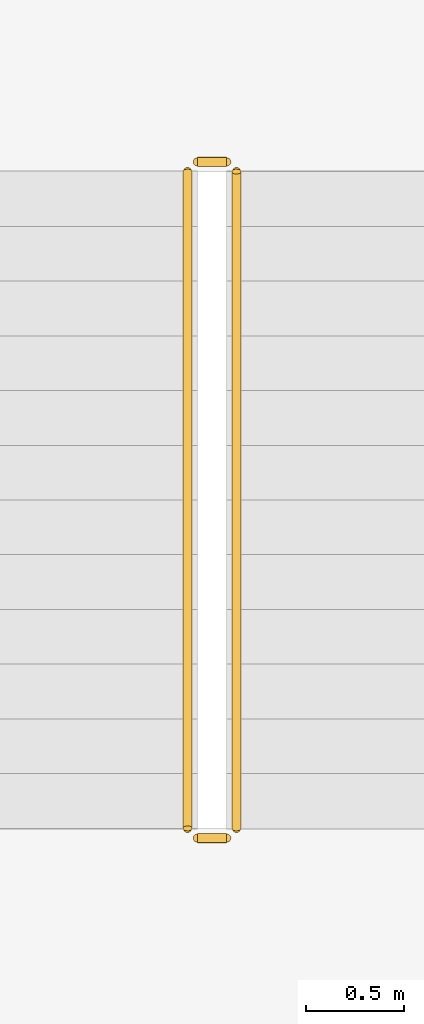
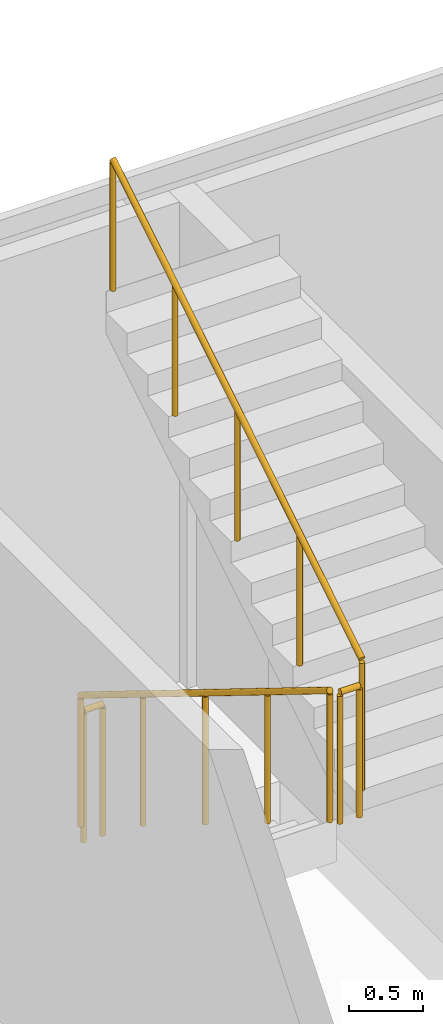
# One storey, part 15 of 15: 4 railings.
"""IFC4 building model written with IfcOpenShell, lengths in metres."""

from ifc_helpers import new_model, si_unit, direction, frame, origin, origin_2d, place, context, subcontext, project, spatial, circle, extrude, material, type_object, element, save


model = new_model("IFC4")

# Units and contexts
model_context = context("Model", 3, precision=1e-05, world=origin(), true_north=direction((0.0, 1.0)))
body_context = subcontext(model_context, "Body", "Model", "MODEL_VIEW")
ifc_project = project(units=[si_unit("LENGTHUNIT", "METRE"), si_unit("AREAUNIT", "SQUARE_METRE"), si_unit("VOLUMEUNIT", "CUBIC_METRE"), si_unit("PLANEANGLEUNIT", "RADIAN"), si_unit("MASSUNIT", "GRAM", prefix="KILO")], contexts=[model_context])

# Site, building, storey
site_placement = place(None, origin())
site = spatial("IfcSite", under=ifc_project, at=site_placement, CompositionType="ELEMENT")
building_placement = place(site_placement, origin())
building = spatial("IfcBuilding", under=site, at=building_placement, Name="Kawkab Arch Medical Tower", CompositionType="ELEMENT")
storey_placement = place(building_placement, frame((0.0, 0.0, 332.199951171875)))
storey = spatial("IfcBuildingStorey", under=building, at=storey_placement, Name="L77", CompositionType="ELEMENT", Elevation=332.199951171875)

# Railings
ifc_material = material(Name="Stainless steel", Category="steel")
railing_type = type_object("IfcRailingType", Name="Stair guard 1100", PredefinedType="GUARDRAIL", material=ifc_material)
railing_1_placement = place(storey_placement, frame((44.39990234375, -1.800048828125, 0.173095703125)))
element("IfcRailing", 1, at=railing_1_placement, inside=storey, type_object=railing_type, Name="L77 ST5 stair guard 1", PredefinedType="GUARDRAIL", context=body_context, shape_type="SweptSolid", body=[
    extrude(circle(Radius=0.02392578125, at=origin_2d()), frame((0.0, 0.0, 1.076171875), z_axis=(0.0, -0.850606129759, 0.525803396734), x_axis=(1.0, 0.0, 0.0)), (0.0, 0.0, 1.0), 3.949951171875),
    extrude(circle(Radius=0.02099609375, at=origin_2d()), origin(), (0.0, 0.0, 1.0), 1.052001953125),
    extrude(circle(Radius=0.02099609375, at=origin_2d()), frame((0.0, -0.83984375, 0.519287109375)), (0.0, 0.0, 1.0), 1.052001953125),
    extrude(circle(Radius=0.02099609375, at=origin_2d()), frame((0.0, -1.679931640625, 1.03857421875)), (0.0, 0.0, 1.0), 1.052001953125),
    extrude(circle(Radius=0.02099609375, at=origin_2d()), frame((0.0, -2.52001953125, 1.5576171875)), (0.0, 0.0, 1.0), 1.052001953125),
    extrude(circle(Radius=0.02099609375, at=origin_2d()), frame((0.0, -3.35986328125, 2.076904296875)), (0.0, 0.0, 1.0), 1.052001953125),
])
railing_2_placement = place(storey_placement, frame((44.449951171875, -5.2099609375, 2.25)))
element("IfcRailing", 2, at=railing_2_placement, inside=storey, type_object=railing_type, Name="L77 ST5 stair guard 2", PredefinedType="GUARDRAIL", context=body_context, shape_type="SweptSolid", body=[
    extrude(circle(Radius=0.02392578125, at=origin_2d()), frame((0.0, 0.0, 1.076171875), z_axis=(1.0, 0.0, 0.0), x_axis=(0.0, 1.0, 0.0)), (0.0, 0.0, 1.0), 0.150146484375),
    extrude(circle(Radius=0.02099609375, at=origin_2d()), origin(), (0.0, 0.0, 1.0), 1.052001953125),
    extrude(circle(Radius=0.02099609375, at=origin_2d()), frame((0.150146484375, 0.0, 0.0)), (0.0, 0.0, 1.0), 1.052001953125),
])
railing_3_placement = place(storey_placement, frame((44.64990234375, -5.159912109375, 2.423095703125)))
element("IfcRailing", 3, at=railing_3_placement, inside=storey, type_object=railing_type, Name="L77 ST5 stair guard 3", PredefinedType="GUARDRAIL", context=body_context, shape_type="SweptSolid", body=[
    extrude(circle(Radius=0.02392578125, at=origin_2d()), frame((0.0, 0.0, 1.076171875), z_axis=(0.0, 0.850606129759, 0.525803396734), x_axis=(-1.0, 0.0, 0.0)), (0.0, 0.0, 1.0), 3.949951171875),
    extrude(circle(Radius=0.02099609375, at=origin_2d()), origin(), (0.0, 0.0, 1.0), 1.052001953125),
    extrude(circle(Radius=0.02099609375, at=origin_2d()), frame((0.0, 0.83984375, 0.519287109375)), (0.0, 0.0, 1.0), 1.052001953125),
    extrude(circle(Radius=0.02099609375, at=origin_2d()), frame((0.0, 1.679931640625, 1.03857421875)), (0.0, 0.0, 1.0), 1.052001953125),
    extrude(circle(Radius=0.02099609375, at=origin_2d()), frame((0.0, 2.52001953125, 1.5576171875)), (0.0, 0.0, 1.0), 1.052001953125),
    extrude(circle(Radius=0.02099609375, at=origin_2d()), frame((0.0, 3.35986328125, 2.076904296875)), (0.0, 0.0, 1.0), 1.052001953125),
])
railing_4_placement = place(storey_placement, frame((44.449951171875, -1.75, 0.0)))
element("IfcRailing", 4, at=railing_4_placement, inside=storey, type_object=railing_type, Name="L77 ST5 stair guard 4", PredefinedType="GUARDRAIL", context=body_context, shape_type="SweptSolid", body=[
    extrude(circle(Radius=0.02392578125, at=origin_2d()), frame((0.0, 0.0, 1.076171875), z_axis=(1.0, 0.0, 0.0), x_axis=(0.0, 1.0, 0.0)), (0.0, 0.0, 1.0), 0.150146484375),
    extrude(circle(Radius=0.02099609375, at=origin_2d()), origin(), (0.0, 0.0, 1.0), 1.052001953125),
    extrude(circle(Radius=0.02099609375, at=origin_2d()), frame((0.150146484375, 0.0, 0.0)), (0.0, 0.0, 1.0), 1.052001953125),
])

save(model, "model.ifc")
